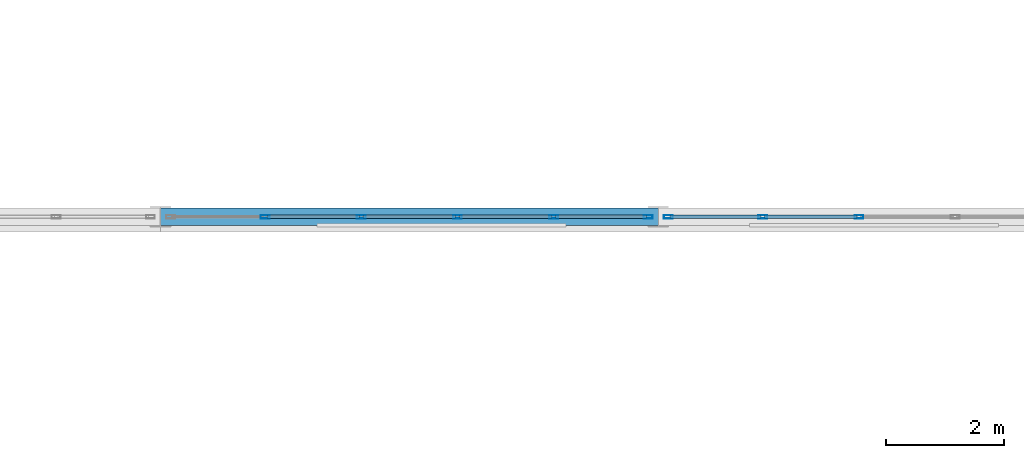
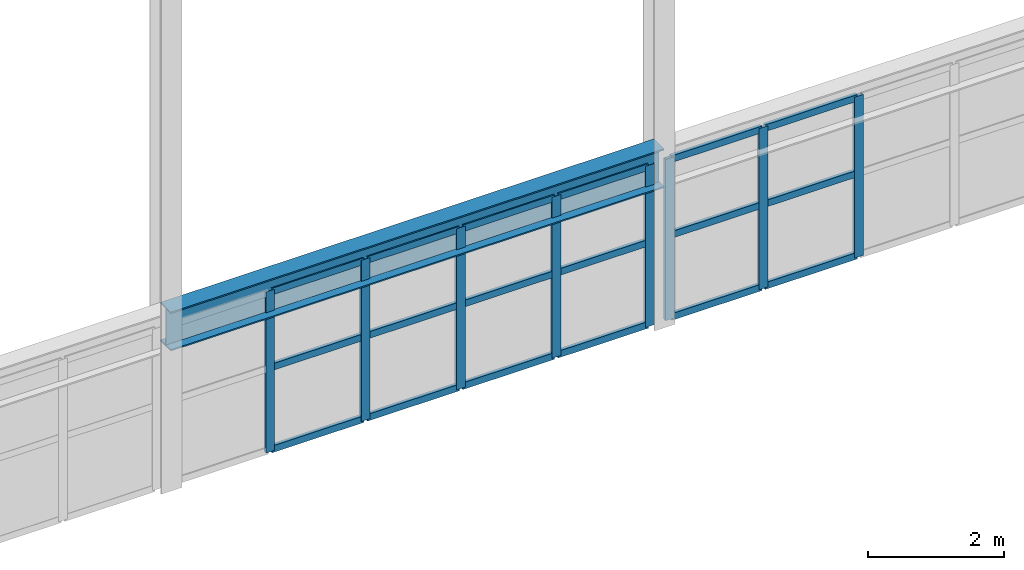
# One storey, part 84 of 218: 26 members, 1 beam, 2 elements without a shape of their own.
"""IFC4 building model written with IfcOpenShell, lengths in metres."""

from ifc_helpers import new_model, si_unit, direction, frame, origin, origin_2d, place, context, subcontext, project, spatial, hollow_rectangle, i_section, extrude, material, material_profile, profile_set, type_object, element, aggregate, save


model = new_model("IFC4")

# Units and contexts
model_context = context("Model", 3, precision=1e-05, world=origin(), true_north=direction((0.0, 1.0)))
body_context = subcontext(model_context, "Body", "Model", "MODEL_VIEW")
ifc_project = project(units=[si_unit("LENGTHUNIT", "METRE"), si_unit("AREAUNIT", "SQUARE_METRE"), si_unit("VOLUMEUNIT", "CUBIC_METRE"), si_unit("PLANEANGLEUNIT", "RADIAN"), si_unit("MASSUNIT", "GRAM", prefix="KILO")], contexts=[model_context])

# Site, building, storey
site_placement = place(None, origin())
site = spatial("IfcSite", under=ifc_project, at=site_placement, CompositionType="ELEMENT")
building_placement = place(site_placement, origin())
building = spatial("IfcBuilding", under=site, at=building_placement, Name="Kazenagashi Tramway Depot", CompositionType="ELEMENT")
storey_placement = place(building_placement, frame((0.0, 0.0, 6.0)))
storey = spatial("IfcBuildingStorey", under=building, at=storey_placement, Name="L02", CompositionType="ELEMENT", Elevation=6.0)

# Beam
ifc_material_1 = material(Name="Steel SN490B", Category="steel")
ifc_material_profile_1 = material_profile(ifc_material_1, i_section(OverallWidth=0.3, OverallDepth=0.7, WebThickness=0.013, FlangeThickness=0.024, at=origin_2d()), Name="H-700x300x13x24")
ifc_profile_set_1 = profile_set([ifc_material_profile_1], Name="Steel SN490B")
beam_type = type_object("IfcBeamType", Name="G-02", PredefinedType="BEAM", material=ifc_profile_set_1)
beam_placement = place(storey_placement, frame((95.2, 54.9, 2.85), z_axis=(1.0, 0.0, 0.0), x_axis=(0.0, 1.0, 0.0)))
element("IfcBeam", 1, at=beam_placement, inside=storey, type_object=beam_type, Name="Beam G-02 BM-1179", PredefinedType="BEAM", context=body_context, shape_type="SweptSolid", body=[
    extrude(i_section(OverallWidth=0.3, OverallDepth=0.7, WebThickness=0.013, FlangeThickness=0.024, at=origin_2d()), origin(), (0.0, 0.0, 1.0), 8.4),
])

# Curtain wall, members
ifc_material_2 = material(Name="Anodised Aluminium and Low-E Glazing", Category="aluminium")
curtain_wall_type = type_object("IfcCurtainWallType", Name="CW-21", PredefinedType="USERDEFINED", material=ifc_material_2)
curtain_wall_1_placement = place(storey_placement, origin())
curtain_wall_1 = element("IfcCurtainWall", 2, at=curtain_wall_1_placement, inside=storey, type_object=curtain_wall_type, Name="Industrial Glazed Screen CW-21 CW-0113", ObjectType="GLAZED SCREEN", PredefinedType="USERDEFINED")
ifc_material_3 = material(Name="Anodised Aluminium", Category="aluminium")
ifc_material_profile_2 = material_profile(ifc_material_3, hollow_rectangle(XDim=0.06, YDim=0.15, WallThickness=0.004, at=origin_2d()), Name="RHS-150x60x4")
ifc_profile_set_2 = profile_set([ifc_material_profile_2], Name="Anodised Aluminium")
member_type_1 = type_object("IfcMemberType", Name="ML-01", PredefinedType="MULLION", material=ifc_profile_set_2)
member_1_placement = place(storey_placement, frame((96.964, 54.9, 0.0), z_axis=(0.0, 0.0, 1.0), x_axis=(0.0, 1.0, 0.0)))
member_1 = element("IfcMember", 3, at=member_1_placement, type_object=member_type_1, Name="CW-21 mullion 2", PredefinedType="MULLION", context=body_context, shape_type="SweptSolid", body=[
    extrude(hollow_rectangle(XDim=0.06, YDim=0.15, WallThickness=0.004, at=origin_2d()), origin(), (0.0, 0.0, 1.0), 2.9),
])
member_2_placement = place(storey_placement, frame((98.588, 54.9, 0.0), z_axis=(0.0, 0.0, 1.0), x_axis=(0.0, 1.0, 0.0)))
member_2 = element("IfcMember", 4, at=member_2_placement, type_object=member_type_1, Name="CW-21 mullion 3", PredefinedType="MULLION", context=body_context, shape_type="SweptSolid", body=[
    extrude(hollow_rectangle(XDim=0.06, YDim=0.15, WallThickness=0.004, at=origin_2d()), origin(), (0.0, 0.0, 1.0), 2.9),
])
member_3_placement = place(storey_placement, frame((100.212, 54.9, 0.0), z_axis=(0.0, 0.0, 1.0), x_axis=(0.0, 1.0, 0.0)))
member_3 = element("IfcMember", 5, at=member_3_placement, type_object=member_type_1, Name="CW-21 mullion 4", PredefinedType="MULLION", context=body_context, shape_type="SweptSolid", body=[
    extrude(hollow_rectangle(XDim=0.06, YDim=0.15, WallThickness=0.004, at=origin_2d()), origin(), (0.0, 0.0, 1.0), 2.9),
])
member_4_placement = place(storey_placement, frame((101.836, 54.9, 0.0), z_axis=(0.0, 0.0, 1.0), x_axis=(0.0, 1.0, 0.0)))
member_4 = element("IfcMember", 6, at=member_4_placement, type_object=member_type_1, Name="CW-21 mullion 5", PredefinedType="MULLION", context=body_context, shape_type="SweptSolid", body=[
    extrude(hollow_rectangle(XDim=0.06, YDim=0.15, WallThickness=0.004, at=origin_2d()), origin(), (0.0, 0.0, 1.0), 2.9),
])
member_5_placement = place(storey_placement, frame((103.43, 54.9, 0.0), z_axis=(0.0, 0.0, 1.0), x_axis=(0.0, 1.0, 0.0)))
member_5 = element("IfcMember", 7, at=member_5_placement, type_object=member_type_1, Name="CW-21 mullion 6", PredefinedType="MULLION", context=body_context, shape_type="SweptSolid", body=[
    extrude(hollow_rectangle(XDim=0.06, YDim=0.15, WallThickness=0.004, at=origin_2d()), origin(), (0.0, 0.0, 1.0), 2.9),
])

curtain_wall_2_placement = place(storey_placement, origin())
curtain_wall_2 = element("IfcCurtainWall", 8, at=curtain_wall_2_placement, inside=storey, type_object=curtain_wall_type, Name="Industrial Glazed Screen CW-21 CW-0114", ObjectType="GLAZED SCREEN", PredefinedType="USERDEFINED")
member_6_placement = place(storey_placement, frame((103.77, 54.9, 0.0), z_axis=(0.0, 0.0, 1.0), x_axis=(0.0, 1.0, 0.0)))
member_6 = element("IfcMember", 9, at=member_6_placement, type_object=member_type_1, Name="CW-21 mullion 1", PredefinedType="MULLION", context=body_context, shape_type="SweptSolid", body=[
    extrude(hollow_rectangle(XDim=0.06, YDim=0.15, WallThickness=0.004, at=origin_2d()), origin(), (0.0, 0.0, 1.0), 2.9),
])
member_7_placement = place(storey_placement, frame((105.364, 54.9, 0.0), z_axis=(0.0, 0.0, 1.0), x_axis=(0.0, 1.0, 0.0)))
member_7 = element("IfcMember", 10, at=member_7_placement, type_object=member_type_1, Name="CW-21 mullion 2", PredefinedType="MULLION", context=body_context, shape_type="SweptSolid", body=[
    extrude(hollow_rectangle(XDim=0.06, YDim=0.15, WallThickness=0.004, at=origin_2d()), origin(), (0.0, 0.0, 1.0), 2.9),
])
member_8_placement = place(storey_placement, frame((106.988, 54.9, 0.0), z_axis=(0.0, 0.0, 1.0), x_axis=(0.0, 1.0, 0.0)))
member_8 = element("IfcMember", 11, at=member_8_placement, type_object=member_type_1, Name="CW-21 mullion 3", PredefinedType="MULLION", context=body_context, shape_type="SweptSolid", body=[
    extrude(hollow_rectangle(XDim=0.06, YDim=0.15, WallThickness=0.004, at=origin_2d()), origin(), (0.0, 0.0, 1.0), 2.9),
])

# Member
ifc_material_profile_3 = material_profile(ifc_material_3, hollow_rectangle(XDim=0.06, YDim=0.12, WallThickness=0.004, at=origin_2d()), Name="RHS-120x60x4")
ifc_profile_set_3 = profile_set([ifc_material_profile_3], Name="Anodised Aluminium")
member_type_2 = type_object("IfcMemberType", Name="TR-01", PredefinedType="USERDEFINED", material=ifc_profile_set_3)
member_9_placement = place(storey_placement, frame((96.994, 54.9, 0.03), z_axis=(1.0, 0.0, 0.0), x_axis=(0.0, 1.0, 0.0)))
member_9 = element("IfcMember", 12, at=member_9_placement, type_object=member_type_2, Name="CW-21 transom 2.1", ObjectType="TRANSOM", PredefinedType="USERDEFINED", context=body_context, shape_type="SweptSolid", body=[
    extrude(hollow_rectangle(XDim=0.06, YDim=0.12, WallThickness=0.004, at=origin_2d()), origin(), (0.0, 0.0, 1.0), 1.564),
])

member_10_placement = place(storey_placement, frame((96.994, 54.9, 1.508), z_axis=(1.0, 0.0, 0.0), x_axis=(0.0, 1.0, 0.0)))
member_10 = element("IfcMember", 13, at=member_10_placement, type_object=member_type_2, Name="CW-21 transom 2.2", ObjectType="TRANSOM", PredefinedType="USERDEFINED", context=body_context, shape_type="SweptSolid", body=[
    extrude(hollow_rectangle(XDim=0.06, YDim=0.12, WallThickness=0.004, at=origin_2d()), origin(), (0.0, 0.0, 1.0), 1.564),
])

member_11_placement = place(storey_placement, frame((96.994, 54.9, 2.87), z_axis=(1.0, 0.0, 0.0), x_axis=(0.0, 1.0, 0.0)))
member_11 = element("IfcMember", 14, at=member_11_placement, type_object=member_type_2, Name="CW-21 transom 2.3", ObjectType="TRANSOM", PredefinedType="USERDEFINED", context=body_context, shape_type="SweptSolid", body=[
    extrude(hollow_rectangle(XDim=0.06, YDim=0.12, WallThickness=0.004, at=origin_2d()), origin(), (0.0, 0.0, 1.0), 1.564),
])

member_12_placement = place(storey_placement, frame((98.618, 54.9, 0.03), z_axis=(1.0, 0.0, 0.0), x_axis=(0.0, 1.0, 0.0)))
member_12 = element("IfcMember", 15, at=member_12_placement, type_object=member_type_2, Name="CW-21 transom 3.1", ObjectType="TRANSOM", PredefinedType="USERDEFINED", context=body_context, shape_type="SweptSolid", body=[
    extrude(hollow_rectangle(XDim=0.06, YDim=0.12, WallThickness=0.004, at=origin_2d()), origin(), (0.0, 0.0, 1.0), 1.564),
])

member_13_placement = place(storey_placement, frame((98.618, 54.9, 1.508), z_axis=(1.0, 0.0, 0.0), x_axis=(0.0, 1.0, 0.0)))
member_13 = element("IfcMember", 16, at=member_13_placement, type_object=member_type_2, Name="CW-21 transom 3.2", ObjectType="TRANSOM", PredefinedType="USERDEFINED", context=body_context, shape_type="SweptSolid", body=[
    extrude(hollow_rectangle(XDim=0.06, YDim=0.12, WallThickness=0.004, at=origin_2d()), origin(), (0.0, 0.0, 1.0), 1.564),
])

member_14_placement = place(storey_placement, frame((98.618, 54.9, 2.87), z_axis=(1.0, 0.0, 0.0), x_axis=(0.0, 1.0, 0.0)))
member_14 = element("IfcMember", 17, at=member_14_placement, type_object=member_type_2, Name="CW-21 transom 3.3", ObjectType="TRANSOM", PredefinedType="USERDEFINED", context=body_context, shape_type="SweptSolid", body=[
    extrude(hollow_rectangle(XDim=0.06, YDim=0.12, WallThickness=0.004, at=origin_2d()), origin(), (0.0, 0.0, 1.0), 1.564),
])

member_15_placement = place(storey_placement, frame((100.242, 54.9, 0.03), z_axis=(1.0, 0.0, 0.0), x_axis=(0.0, 1.0, 0.0)))
member_15 = element("IfcMember", 18, at=member_15_placement, type_object=member_type_2, Name="CW-21 transom 4.1", ObjectType="TRANSOM", PredefinedType="USERDEFINED", context=body_context, shape_type="SweptSolid", body=[
    extrude(hollow_rectangle(XDim=0.06, YDim=0.12, WallThickness=0.004, at=origin_2d()), origin(), (0.0, 0.0, 1.0), 1.564),
])

member_16_placement = place(storey_placement, frame((100.242, 54.9, 1.508), z_axis=(1.0, 0.0, 0.0), x_axis=(0.0, 1.0, 0.0)))
member_16 = element("IfcMember", 19, at=member_16_placement, type_object=member_type_2, Name="CW-21 transom 4.2", ObjectType="TRANSOM", PredefinedType="USERDEFINED", context=body_context, shape_type="SweptSolid", body=[
    extrude(hollow_rectangle(XDim=0.06, YDim=0.12, WallThickness=0.004, at=origin_2d()), origin(), (0.0, 0.0, 1.0), 1.564),
])

member_17_placement = place(storey_placement, frame((100.242, 54.9, 2.87), z_axis=(1.0, 0.0, 0.0), x_axis=(0.0, 1.0, 0.0)))
member_17 = element("IfcMember", 20, at=member_17_placement, type_object=member_type_2, Name="CW-21 transom 4.3", ObjectType="TRANSOM", PredefinedType="USERDEFINED", context=body_context, shape_type="SweptSolid", body=[
    extrude(hollow_rectangle(XDim=0.06, YDim=0.12, WallThickness=0.004, at=origin_2d()), origin(), (0.0, 0.0, 1.0), 1.564),
])

member_18_placement = place(storey_placement, frame((101.866, 54.9, 0.03), z_axis=(1.0, 0.0, 0.0), x_axis=(0.0, 1.0, 0.0)))
member_18 = element("IfcMember", 21, at=member_18_placement, type_object=member_type_2, Name="CW-21 transom 5.1", ObjectType="TRANSOM", PredefinedType="USERDEFINED", context=body_context, shape_type="SweptSolid", body=[
    extrude(hollow_rectangle(XDim=0.06, YDim=0.12, WallThickness=0.004, at=origin_2d()), origin(), (0.0, 0.0, 1.0), 1.534),
])

member_19_placement = place(storey_placement, frame((101.866, 54.9, 1.508), z_axis=(1.0, 0.0, 0.0), x_axis=(0.0, 1.0, 0.0)))
member_19 = element("IfcMember", 22, at=member_19_placement, type_object=member_type_2, Name="CW-21 transom 5.2", ObjectType="TRANSOM", PredefinedType="USERDEFINED", context=body_context, shape_type="SweptSolid", body=[
    extrude(hollow_rectangle(XDim=0.06, YDim=0.12, WallThickness=0.004, at=origin_2d()), origin(), (0.0, 0.0, 1.0), 1.534),
])

member_20_placement = place(storey_placement, frame((101.866, 54.9, 2.87), z_axis=(1.0, 0.0, 0.0), x_axis=(0.0, 1.0, 0.0)))
member_20 = element("IfcMember", 23, at=member_20_placement, type_object=member_type_2, Name="CW-21 transom 5.3", ObjectType="TRANSOM", PredefinedType="USERDEFINED", context=body_context, shape_type="SweptSolid", body=[
    extrude(hollow_rectangle(XDim=0.06, YDim=0.12, WallThickness=0.004, at=origin_2d()), origin(), (0.0, 0.0, 1.0), 1.534),
])

aggregate(curtain_wall_1, [member_1, member_2, member_3, member_4, member_5, member_9, member_10, member_11, member_12, member_13, member_14, member_15, member_16, member_17, member_18, member_19, member_20])

member_21_placement = place(storey_placement, frame((103.8, 54.9, 0.03), z_axis=(1.0, 0.0, 0.0), x_axis=(0.0, 1.0, 0.0)))
member_21 = element("IfcMember", 24, at=member_21_placement, type_object=member_type_2, Name="CW-21 transom 1.1", ObjectType="TRANSOM", PredefinedType="USERDEFINED", context=body_context, shape_type="SweptSolid", body=[
    extrude(hollow_rectangle(XDim=0.06, YDim=0.12, WallThickness=0.004, at=origin_2d()), origin(), (0.0, 0.0, 1.0), 1.534),
])

member_22_placement = place(storey_placement, frame((103.8, 54.9, 1.508), z_axis=(1.0, 0.0, 0.0), x_axis=(0.0, 1.0, 0.0)))
member_22 = element("IfcMember", 25, at=member_22_placement, type_object=member_type_2, Name="CW-21 transom 1.2", ObjectType="TRANSOM", PredefinedType="USERDEFINED", context=body_context, shape_type="SweptSolid", body=[
    extrude(hollow_rectangle(XDim=0.06, YDim=0.12, WallThickness=0.004, at=origin_2d()), origin(), (0.0, 0.0, 1.0), 1.534),
])

member_23_placement = place(storey_placement, frame((103.8, 54.9, 2.87), z_axis=(1.0, 0.0, 0.0), x_axis=(0.0, 1.0, 0.0)))
member_23 = element("IfcMember", 26, at=member_23_placement, type_object=member_type_2, Name="CW-21 transom 1.3", ObjectType="TRANSOM", PredefinedType="USERDEFINED", context=body_context, shape_type="SweptSolid", body=[
    extrude(hollow_rectangle(XDim=0.06, YDim=0.12, WallThickness=0.004, at=origin_2d()), origin(), (0.0, 0.0, 1.0), 1.534),
])

member_24_placement = place(storey_placement, frame((105.394, 54.9, 0.03), z_axis=(1.0, 0.0, 0.0), x_axis=(0.0, 1.0, 0.0)))
member_24 = element("IfcMember", 27, at=member_24_placement, type_object=member_type_2, Name="CW-21 transom 2.1", ObjectType="TRANSOM", PredefinedType="USERDEFINED", context=body_context, shape_type="SweptSolid", body=[
    extrude(hollow_rectangle(XDim=0.06, YDim=0.12, WallThickness=0.004, at=origin_2d()), origin(), (0.0, 0.0, 1.0), 1.564),
])

member_25_placement = place(storey_placement, frame((105.394, 54.9, 1.508), z_axis=(1.0, 0.0, 0.0), x_axis=(0.0, 1.0, 0.0)))
member_25 = element("IfcMember", 28, at=member_25_placement, type_object=member_type_2, Name="CW-21 transom 2.2", ObjectType="TRANSOM", PredefinedType="USERDEFINED", context=body_context, shape_type="SweptSolid", body=[
    extrude(hollow_rectangle(XDim=0.06, YDim=0.12, WallThickness=0.004, at=origin_2d()), origin(), (0.0, 0.0, 1.0), 1.564),
])

member_26_placement = place(storey_placement, frame((105.394, 54.9, 2.87), z_axis=(1.0, 0.0, 0.0), x_axis=(0.0, 1.0, 0.0)))
member_26 = element("IfcMember", 29, at=member_26_placement, type_object=member_type_2, Name="CW-21 transom 2.3", ObjectType="TRANSOM", PredefinedType="USERDEFINED", context=body_context, shape_type="SweptSolid", body=[
    extrude(hollow_rectangle(XDim=0.06, YDim=0.12, WallThickness=0.004, at=origin_2d()), origin(), (0.0, 0.0, 1.0), 1.564),
])

aggregate(curtain_wall_2, [member_6, member_7, member_8, member_21, member_22, member_23, member_24, member_25, member_26])

save(model, "model.ifc")
